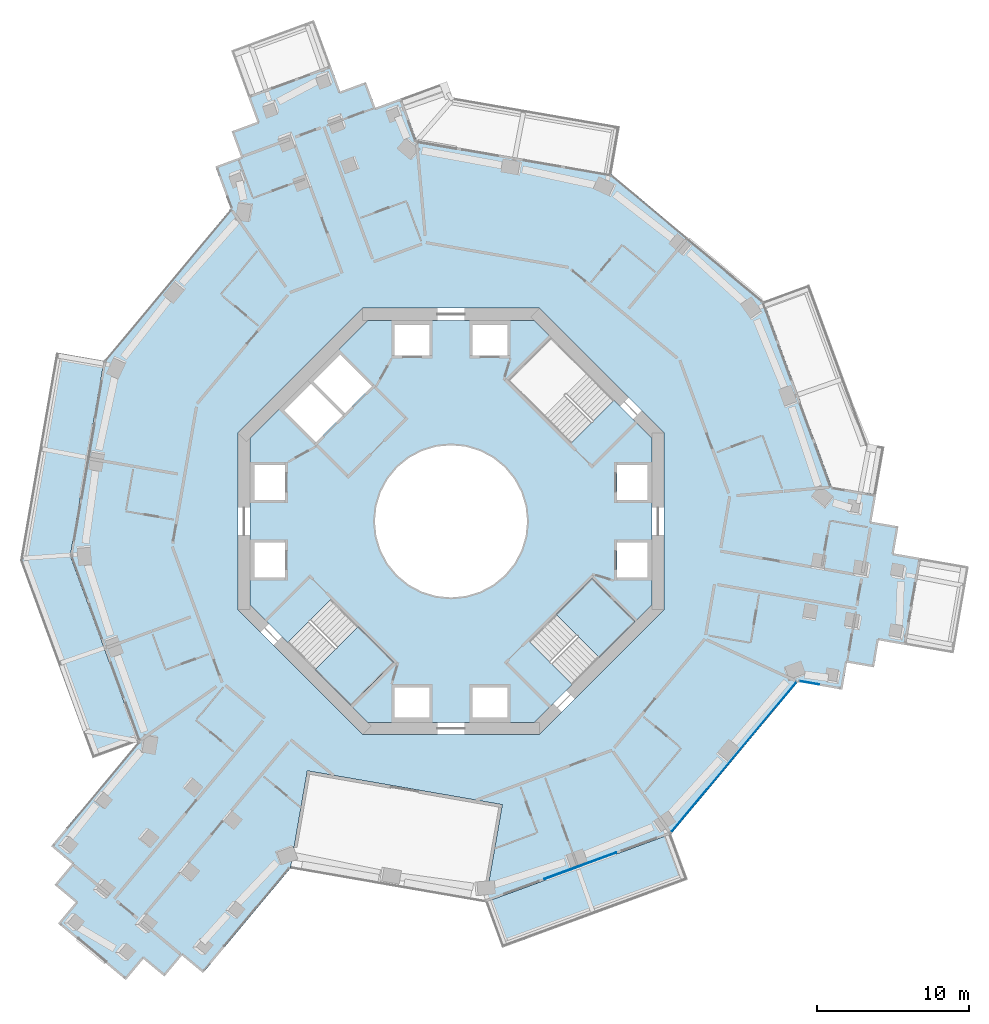
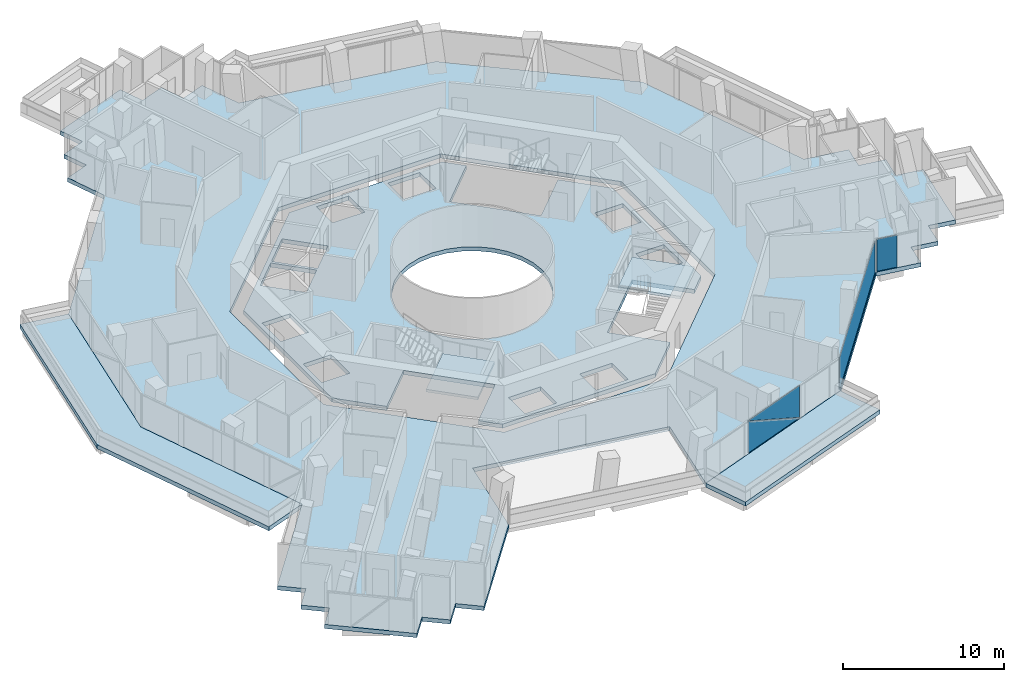
# One storey, part 12 of 24: 6 slabs, 4 plates, 5 elements without a shape of their own.
"""IFC4 building model written with IfcOpenShell, lengths in metres."""

import ifcopenshell
import ifcopenshell.guid

model = None  # the IFC model being written
_history = None  # IfcOwnerHistory: only IFC2X3 demands one
_inside = {}  # id of a spatial element -> (the spatial element, [elements in it])
_under = {}  # id of a project, library or spatial element -> (it, [spatial elements below it])
_declared = {}  # id of a project -> (the project, [libraries it declares])
_typed = {}  # id of a type object -> (the type object, [elements of that type])
_made_of = {}  # id of a material, layer set ... -> (it, [elements and type objects made of it])


def new_model(schema):
    """Start an empty IFC model of exactly this schema.

    Asked for "IFC4X3", IfcOpenShell would pick the latest addendum, in which some entities
    have other attributes; the version numbers below select the first issue.
    IFC2X3 requires an IfcOwnerHistory on every rooted entity: one is made here for all.
    """
    global model, _history
    if schema == "IFC4X3":
        model = ifcopenshell.file(schema_version=(4, 3, 0, 0))
    else:
        model = ifcopenshell.file(schema=schema)
    _inside.clear()
    _under.clear()
    _declared.clear()
    _typed.clear()
    _made_of.clear()
    _history = None
    if model.schema == "IFC2X3":
        org = make("IfcOrganization", Name="unknown")
        user = make(
            "IfcPersonAndOrganization",
            ThePerson=make("IfcPerson", FamilyName="unknown"),
            TheOrganization=org,
        )
        app = make(
            "IfcApplication",
            ApplicationDeveloper=org,
            Version="unknown",
            ApplicationFullName="unknown",
            ApplicationIdentifier="unknown",
        )
        _history = make(
            "IfcOwnerHistory",
            OwningUser=user,
            OwningApplication=app,
            ChangeAction="ADDED",
            CreationDate=0,
        )
    return model


def make(cls, **values):
    """One entity of the class cls with the attributes given. An attribute that is None is left unset."""
    return model.create_entity(
        cls, **{name: value for name, value in values.items() if value is not None}
    )


def rooted(cls, **values):
    """An entity with a GlobalId (a new one), such as an element, a storey or a relation."""
    return make(cls, GlobalId=ifcopenshell.guid.new(), OwnerHistory=_history, **values)


def si_unit(unit_type, name, prefix=None):
    """IfcSIUnit, for example si_unit("LENGTHUNIT", "METRE", prefix="MILLI")."""
    return make("IfcSIUnit", UnitType=unit_type, Prefix=prefix, Name=name)


def assignment(units):
    """IfcUnitAssignment: the units of a project."""
    return None if units is None else make("IfcUnitAssignment", Units=units)


def point(xyz):
    """IfcCartesianPoint."""
    return None if xyz is None else make("IfcCartesianPoint", Coordinates=xyz)


def direction(xyz):
    """IfcDirection."""
    return None if xyz is None else make("IfcDirection", DirectionRatios=xyz)


def frame(location, z_axis=None, x_axis=None):
    """IfcAxis2Placement3D, a coordinate frame: its origin and axes. An axis left out is left unset."""
    return make(
        "IfcAxis2Placement3D",
        Location=point(location),
        Axis=direction(z_axis),
        RefDirection=direction(x_axis),
    )


def frame_2d(location, x_axis=None):
    """IfcAxis2Placement2D, a coordinate frame in the plane: its origin and x axis."""
    return make(
        "IfcAxis2Placement2D", Location=point(location), RefDirection=direction(x_axis)
    )


def origin():
    """The frame at (0, 0, 0) with its axes left unset."""
    return frame((0.0, 0.0, 0.0))


def origin_2d():
    """The frame at (0, 0) in the plane with its x axis left unset."""
    return frame_2d((0.0, 0.0))


def place(relative_to, where):
    """IfcLocalPlacement: puts the frame where relative to a parent placement (None: the world)."""
    return make(
        "IfcLocalPlacement", PlacementRelTo=relative_to, RelativePlacement=where
    )


def context(
    kind, dimensions, precision=None, world=None, true_north=None, identifier=None
):
    """IfcGeometricRepresentationContext, for example the 3D "Model" context."""
    return make(
        "IfcGeometricRepresentationContext",
        ContextIdentifier=identifier,
        ContextType=kind,
        CoordinateSpaceDimension=dimensions,
        Precision=precision,
        WorldCoordinateSystem=world,
        TrueNorth=true_north,
    )


def subcontext(parent, identifier, kind, view, scale=None):
    """IfcGeometricRepresentationSubContext, for example "Body" below "Model"."""
    return make(
        "IfcGeometricRepresentationSubContext",
        ContextIdentifier=identifier,
        ContextType=kind,
        ParentContext=parent,
        TargetScale=scale,
        TargetView=view,
    )


def project(units=None, contexts=None):
    """IfcProject with its units and contexts."""
    return rooted(
        "IfcProject",
        Name="project",
        RepresentationContexts=contexts,
        UnitsInContext=assignment(units),
    )


def spatial(cls, under=None, at=None, **own):
    """A site, building, storey or space (cls), placed at a placement, below another one or the project."""
    s = rooted(cls, ObjectPlacement=at, **own)
    if under is not None:
        _under.setdefault(under.id(), (under, []))[1].append(s)
    return s


def polyline(points):
    """IfcPolyline through the points."""
    return make("IfcPolyline", Points=[point(p) for p in points])


def profile(cls, at=None, kind="AREA", **sizes):
    """A parametric profile (cls). Its sizes go by their IFC names, for example OverallWidth=200.0."""
    return make(cls, ProfileType=kind, Position=at, **sizes)


def rectangle(**sizes):
    """IfcRectangleProfileDef."""
    return profile("IfcRectangleProfileDef", **sizes)


def outline(outer, holes=None, kind="AREA"):
    """IfcArbitraryClosedProfileDef: a profile drawn as a closed curve; with holes, ...WithVoids."""
    if holes is None:
        return make("IfcArbitraryClosedProfileDef", ProfileType=kind, OuterCurve=outer)
    return make(
        "IfcArbitraryProfileDefWithVoids",
        ProfileType=kind,
        OuterCurve=outer,
        InnerCurves=holes,
    )


def extrude(swept, where, along, depth):
    """IfcExtrudedAreaSolid: the profile swept, set in the frame where, extruded along a direction by depth."""
    return make(
        "IfcExtrudedAreaSolid",
        SweptArea=swept,
        Position=where,
        ExtrudedDirection=direction(along),
        Depth=depth,
    )


def shape(context_of_items, identifier, shape_type, items):
    """IfcShapeRepresentation: the items that make up one representation, for example the "Body"."""
    return make(
        "IfcShapeRepresentation",
        ContextOfItems=context_of_items,
        RepresentationIdentifier=identifier,
        RepresentationType=shape_type,
        Items=items,
    )


def material(Name=None, Category=None):
    """IfcMaterial."""
    return make("IfcMaterial", Name=Name, Category=Category)


def layer(
    of_material, thickness, ventilated=None, Name=None, Category=None, Priority=None
):
    """IfcMaterialLayer: one layer of a wall or slab, of a material (None: an air gap)."""
    return make(
        "IfcMaterialLayer",
        Material=of_material,
        LayerThickness=thickness,
        IsVentilated=ventilated,
        Name=Name,
        Category=Category,
        Priority=Priority,
    )


def layer_set(layers, Name=None):
    """IfcMaterialLayerSet."""
    return make("IfcMaterialLayerSet", MaterialLayers=layers, LayerSetName=Name)


def made_of(thing, what):
    """Note that an element or type object is made of a material, layer set ...; save() writes the relation."""
    if what is not None:
        _made_of.setdefault(what.id(), (what, []))[1].append(thing)
    return thing


def type_object(cls, material=None, **own):
    """A type object (cls), such as IfcWallType, which elements share."""
    return made_of(rooted(cls, **own), material)


def element(
    cls,
    number,
    at=None,
    inside=None,
    cuts=None,
    type_object=None,
    material=None,
    context=None,
    identifier="Body",
    shape_type=None,
    held_by="IfcProductDefinitionShape",
    body=None,
    shapes=None,
    **own,
):
    """One element of the class cls, such as IfcWall. Its Tag is "e" and its number.

    at: its placement. inside: the storey or other place that contains it. cuts: it is an
    opening in that element (IfcRelVoidsElement). A single representation is given by context,
    identifier, shape_type and body (its items); several are given by shapes. held_by: the class
    of the entity that holds the representations. save() writes the other relations.
    """
    e = rooted(cls, Tag="e%d" % number, ObjectPlacement=at, **own)
    if body is not None:
        shapes = [shape(context, identifier, shape_type, body)]
    if shapes is not None:
        e.Representation = make(held_by, Representations=shapes)
    if inside is not None:
        _inside.setdefault(inside.id(), (inside, []))[1].append(e)
    if cuts is not None:
        rooted(
            "IfcRelVoidsElement", RelatingBuildingElement=cuts, RelatedOpeningElement=e
        )
    if type_object is not None:
        _typed.setdefault(type_object.id(), (type_object, []))[1].append(e)
    return made_of(e, material)


def aggregate(whole, parts):
    """IfcRelAggregates: a whole, such as a stair, and the parts it consists of."""
    return rooted("IfcRelAggregates", RelatingObject=whole, RelatedObjects=parts)


def save(model, path):
    """Write the relations noted so far, then the file.

    IfcRelAggregates (storeys below a building ...), IfcRelContainedInSpatialStructure (elements
    in a storey), IfcRelDefinesByType, IfcRelAssociatesMaterial and IfcRelDeclares: one each for
    every whole, place, type object, material and project.
    """
    for whole, parts in _under.values():
        aggregate(whole, parts)
    for where, things in _inside.values():
        rooted(
            "IfcRelContainedInSpatialStructure",
            RelatedElements=things,
            RelatingStructure=where,
        )
    for kind, things in _typed.values():
        rooted("IfcRelDefinesByType", RelatedObjects=things, RelatingType=kind)
    for what, things in _made_of.values():
        rooted("IfcRelAssociatesMaterial", RelatedObjects=things, RelatingMaterial=what)
    for by, libraries in _declared.values():
        rooted("IfcRelDeclares", RelatingContext=by, RelatedDefinitions=libraries)
    model.write(path)


model = new_model("IFC4")

# Units and contexts
model_context = context("Model", 3, precision=1e-05, world=origin(), true_north=direction((0.0, 1.0)))
body_context = subcontext(model_context, "Body", "Model", "MODEL_VIEW")
ifc_project = project(units=[si_unit("LENGTHUNIT", "METRE"), si_unit("AREAUNIT", "SQUARE_METRE"), si_unit("VOLUMEUNIT", "CUBIC_METRE"), si_unit("PLANEANGLEUNIT", "RADIAN"), si_unit("MASSUNIT", "GRAM", prefix="KILO")], contexts=[model_context])

# Site, building, storey
site_placement = place(None, origin())
site = spatial("IfcSite", under=ifc_project, at=site_placement, CompositionType="ELEMENT")
building_placement = place(site_placement, origin())
building = spatial("IfcBuilding", under=site, at=building_placement, Name="Verdalira Terraces Hotel", CompositionType="ELEMENT")
storey_placement = place(building_placement, frame((0.0, 0.0, 115.0)))
storey = spatial("IfcBuildingStorey", under=building, at=storey_placement, Name="L27", CompositionType="ELEMENT", Elevation=115.0)

# Slabs
ifc_material_1 = material(Name="Precast concrete C40/50", Category="concrete")
ifc_layer_1 = layer(ifc_material_1, 0.31005859375)
ifc_layer_set_1 = layer_set([ifc_layer_1], Name="Balcony deck 310")
slab_type_1 = type_object("IfcSlabType", Name="Balcony deck 310", PredefinedType="FLOOR", material=ifc_layer_set_1)
slab_1_placement = place(storey_placement, frame((0.0, 0.0, -0.310059)))
element("IfcSlab", 1, at=slab_1_placement, inside=storey, type_object=slab_type_1, Name="Balcony deck", PredefinedType="FLOOR", context=body_context, shape_type="SweptSolid", body=[
    extrude(outline(polyline([(-28.311768, -2.556641), (-23.535889, -15.565186), (-20.531982, -14.462158), (-25.012207, -2.258789), (-22.790527, 10.550049), (-25.943604, 11.096924), (-28.311768, -2.556641)])), origin(), (0.0, 0.0, 1.0), 0.310059),
])
slab_2_placement = place(storey_placement, frame((0.0, 0.0, -0.310059)))
element("IfcSlab", 2, at=slab_2_placement, inside=storey, type_object=slab_type_1, Name="Balcony deck", PredefinedType="FLOOR", context=body_context, shape_type="SweptSolid", body=[
    extrude(outline(polyline([(15.565186, -23.535889), (14.462158, -20.531982), (2.258789, -25.012207), (3.361572, -28.016357), (15.565186, -23.535889)])), origin(), (0.0, 0.0, 1.0), 0.310059),
])

# Curtain wall, plates
ifc_material_2 = material(Name="Clear glass", Category="glass")
ifc_layer_2 = layer(ifc_material_2, 0.14990234375)
ifc_layer_set_2 = layer_set([ifc_layer_2], Name="CW1 curtain wall")
curtain_wall_type_1 = type_object("IfcCurtainWallType", Name="CW1 curtain wall", PredefinedType="NOTDEFINED", material=ifc_layer_set_2)
curtain_wall_1_placement = place(storey_placement, origin())
curtain_wall_1 = element("IfcCurtainWall", 3, at=curtain_wall_1_placement, inside=storey, type_object=curtain_wall_type_1, Name="CW1 curtain wall L27 edge 26", PredefinedType="NOTDEFINED")
ifc_material_3 = material(Name="Clear glass", Category="glass")
ifc_layer_3 = layer(ifc_material_3, 0.028076171875)
ifc_layer_set_3 = layer_set([ifc_layer_3], Name="CW1 glass unit 28")
plate_type_1 = type_object("IfcPlateType", Name="CW1 glass unit 28", PredefinedType="CURTAIN_PANEL", material=ifc_layer_set_3)
plate_1_placement = place(storey_placement, frame((8.497559, -22.626953, 1.212402), z_axis=(0.344642923, -0.938733858, 0.0), x_axis=(0.938733858, 0.344642923, 0.0)))
plate_1 = element("IfcPlate", 4, at=plate_1_placement, type_object=plate_type_1, Name="CW1 glass unit", PredefinedType="CURTAIN_PANEL", context=body_context, shape_type="SweptSolid", body=[
    extrude(outline(polyline([(-2.510742, -1.212402), (2.510742, -1.212402), (-2.510742, 1.212402), (-2.510742, -1.212402)])), origin(), (0.0, 0.0, 1.0), 0.028076),
])
plate_2_placement = place(storey_placement, frame((8.487549, -22.599609, 1.212402), z_axis=(0.344642923, -0.938733858, 0.0), x_axis=(0.938733858, 0.344642923, 0.0)))
plate_2 = element("IfcPlate", 5, at=plate_2_placement, type_object=plate_type_1, Name="CW1 glass unit", PredefinedType="CURTAIN_PANEL", context=body_context, shape_type="SweptSolid", body=[
    extrude(outline(polyline([(2.510742, -1.212402), (2.510742, 1.212402), (-2.510742, 1.212402), (2.510742, -1.212402)])), origin(), (0.0, 0.0, 1.0), 0.028076),
])
aggregate(curtain_wall_1, [plate_1, plate_2])

# Curtain wall, plate
curtain_wall_2_placement = place(storey_placement, origin())
curtain_wall_2 = element("IfcCurtainWall", 6, at=curtain_wall_2_placement, inside=storey, type_object=curtain_wall_type_1, Name="CW1 curtain wall L27 edge 27", PredefinedType="NOTDEFINED")
plate_3_placement = place(storey_placement, frame((18.581787, -15.477539, 0.0), z_axis=(0.0, 0.0, 1.0), x_axis=(0.640645907, 0.767836456, 0.0)))
plate_3 = element("IfcPlate", 7, at=plate_3_placement, type_object=plate_type_1, Name="CW1 glass unit", PredefinedType="CURTAIN_PANEL", context=body_context, shape_type="SweptSolid", body=[
    extrude(rectangle(XDim=12.839844, YDim=0.028076, at=origin_2d()), origin(), (0.0, 0.0, 1.0), 2.425049),
])
aggregate(curtain_wall_2, [plate_3])

ifc_material_4 = material(Name="Clear glass", Category="glass")
ifc_layer_4 = layer(ifc_material_4, 0.14990234375)
ifc_layer_set_4 = layer_set([ifc_layer_4], Name="CW2 curtain wall")
curtain_wall_type_2 = type_object("IfcCurtainWallType", Name="CW2 curtain wall", PredefinedType="NOTDEFINED", material=ifc_layer_set_4)
curtain_wall_3_placement = place(storey_placement, origin())
curtain_wall_3 = element("IfcCurtainWall", 8, at=curtain_wall_3_placement, inside=storey, type_object=curtain_wall_type_2, Name="CW2 curtain wall L27 edge 28", PredefinedType="NOTDEFINED")
ifc_material_5 = material(Name="Clear glass", Category="glass")
ifc_layer_5 = layer(ifc_material_5, 0.031982421875)
ifc_layer_set_5 = layer_set([ifc_layer_5], Name="CW2 glass unit 32")
plate_type_2 = type_object("IfcPlateType", Name="CW2 glass unit 32", PredefinedType="CURTAIN_PANEL", material=ifc_layer_set_5)
plate_4_placement = place(storey_placement, frame((23.523438, -10.601074, 0.0), z_axis=(0.0, 0.0, 1.0), x_axis=(0.98528883, -0.170897402, 0.0)))
plate_4 = element("IfcPlate", 9, at=plate_4_placement, type_object=plate_type_2, Name="CW2 glass unit", PredefinedType="CURTAIN_PANEL", context=body_context, shape_type="SweptSolid", body=[
    extrude(rectangle(XDim=1.321533, YDim=0.031982, at=origin_2d()), origin(), (0.0, 0.0, 1.0), 2.425049),
])
aggregate(curtain_wall_3, [plate_4])

# Slab
ifc_material_6 = material(Name="Concrete C40", Category="concrete")
ifc_layer_6 = layer(ifc_material_6, 0.31005859375)
ifc_layer_set_6 = layer_set([ifc_layer_6], Name="Core floor slab 310 mm")
slab_type_2 = type_object("IfcSlabType", Name="Core floor slab 310 mm", PredefinedType="FLOOR", material=ifc_layer_set_6)
slab_3_placement = place(storey_placement, frame((0.0, 0.0, -0.310059)))
element("IfcSlab", 10, at=slab_3_placement, inside=storey, type_object=slab_type_2, Name="L27 core floor", PredefinedType="FLOOR", context=body_context, shape_type="SweptSolid", body=[
    extrude(outline(polyline([(-5.467529, 13.199951), (5.467529, 13.199951), (6.562012, 12.105713), (3.719482, 9.263184), (7.869629, 5.112793), (10.712402, 7.955322), (13.199951, 5.467529), (13.199951, -5.467529), (12.105713, -6.562012), (9.263184, -3.719482), (5.112793, -7.869629), (7.955322, -10.712402), (5.467529, -13.199951), (-5.467529, -13.199951), (-6.562012, -12.105713), (-3.719482, -9.263184), (-7.869629, -5.112793), (-10.712402, -7.955322), (-13.199951, -5.467529), (-13.199951, 5.467529), (-5.467529, 13.199951)]), holes=[polyline([(12.899902, -3.699951), (12.899902, -1.399902), (10.899902, -1.399902), (10.899902, -3.699951), (12.899902, -3.699951)]), polyline([(12.899902, 1.399902), (12.899902, 3.699951), (10.899902, 3.699951), (10.899902, 1.399902), (12.899902, 1.399902)]), polyline([(1.399902, 10.899902), (3.699951, 10.899902), (3.699951, 12.899902), (1.399902, 12.899902), (1.399902, 10.899902)]), polyline([(-3.699951, 10.899902), (-1.399902, 10.899902), (-1.399902, 12.899902), (-3.699951, 12.899902), (-3.699951, 10.899902)]), polyline([(-12.899902, 3.699951), (-12.899902, 1.399902), (-10.899902, 1.399902), (-10.899902, 3.699951), (-12.899902, 3.699951)]), polyline([(-12.899902, -1.399902), (-12.899902, -3.699951), (-10.899902, -3.699951), (-10.899902, -1.399902), (-12.899902, -1.399902)]), polyline([(-1.399902, -10.899902), (-3.699951, -10.899902), (-3.699951, -12.899902), (-1.399902, -12.899902), (-1.399902, -10.899902)]), polyline([(3.699951, -10.899902), (1.399902, -10.899902), (1.399902, -12.899902), (3.699951, -12.899902), (3.699951, -10.899902)]), polyline([(-9.051025, 9.192383), (-6.965088, 7.106445), (-5.197266, 8.874268), (-7.283203, 10.960205), (-9.051025, 9.192383)]), polyline([(-9.192383, 9.051025), (-10.960205, 7.283203), (-8.874268, 5.197266), (-7.106445, 6.965088), (-9.192383, 9.051025)]), polyline([(3.5354, 3.5354), (2.777832, 4.157227), (1.91333, 4.619385), (0.975586, 4.903809), (0.0, 5.0), (-0.975586, 4.903809), (-1.91333, 4.619385), (-2.777832, 4.157227), (-3.5354, 3.5354), (-4.157227, 2.777832), (-4.619385, 1.91333), (-4.903809, 0.975586), (-5.0, 0.0), (-4.903809, -0.975586), (-4.619385, -1.91333), (-4.157227, -2.777832), (-3.5354, -3.5354), (-2.777832, -4.157227), (-1.91333, -4.619385), (-0.975586, -4.903809), (0.0, -5.0), (0.975586, -4.903809), (1.91333, -4.619385), (2.777832, -4.157227), (3.5354, -3.5354), (4.157227, -2.777832), (4.619385, -1.91333), (4.903809, -0.975586), (5.0, 0.0), (4.903809, 0.975586), (4.619385, 1.91333), (4.157227, 2.777832), (3.5354, 3.5354)])]), origin(), (0.0, 0.0, 1.0), 0.310059),
])

# Stair, slab
ifc_material_7 = material(Name="Concrete C40", Category="concrete")
stair_type = type_object("IfcStairType", Name="Core stair 20 risers 1950 mm wide", PredefinedType="HALF_TURN_STAIR", material=ifc_material_7)
stair_1_placement = place(storey_placement, origin())
stair_1 = element("IfcStair", 11, at=stair_1_placement, inside=storey, type_object=stair_type, Name="L27 Exit stair ST2", PredefinedType="HALF_TURN_STAIR")
ifc_material_8 = material(Name="Concrete C40", Category="concrete")
ifc_layer_7 = layer(ifc_material_8, 0.199951171875)
ifc_layer_set_7 = layer_set([ifc_layer_7], Name="Core stair landing 200 mm")
slab_type_3 = type_object("IfcSlabType", Name="Core stair landing 200 mm", PredefinedType="LANDING", material=ifc_layer_set_7)
slab_4_placement = place(storey_placement, frame((0.0, 0.0, 1.550049)))
slab_4 = element("IfcSlab", 12, at=slab_4_placement, type_object=slab_type_3, Name="ST2 landing 1", PredefinedType="LANDING", context=body_context, shape_type="SweptSolid", body=[
    extrude(outline(polyline([(-8.931152, -9.736572), (-6.576172, -12.091553), (-3.747559, -9.263184), (-6.102783, -6.907959), (-8.931152, -9.736572)])), origin(), (0.0, 0.0, 1.0), 0.199951),
])
aggregate(stair_1, [slab_4])

stair_2_placement = place(storey_placement, origin())
stair_2 = element("IfcStair", 13, at=stair_2_placement, inside=storey, type_object=stair_type, Name="L27 Exit stair ST3", PredefinedType="HALF_TURN_STAIR")
slab_5_placement = place(storey_placement, frame((0.0, 0.0, 1.550049)))
slab_5 = element("IfcSlab", 14, at=slab_5_placement, type_object=slab_type_3, Name="ST3 landing 1", PredefinedType="LANDING", context=body_context, shape_type="SweptSolid", body=[
    extrude(outline(polyline([(9.736572, -8.931152), (12.091553, -6.576172), (9.263184, -3.747559), (6.907959, -6.102783), (9.736572, -8.931152)])), origin(), (0.0, 0.0, 1.0), 0.199951),
])
aggregate(stair_2, [slab_5])

# Slab
ifc_material_9 = material(Name="Concrete C40", Category="concrete")
ifc_layer_8 = layer(ifc_material_9, 0.31005859375)
ifc_layer_set_8 = layer_set([ifc_layer_8], Name="Floor slab 310 C40")
slab_type_4 = type_object("IfcSlabType", Name="Floor slab 310 C40", PredefinedType="FLOOR", material=ifc_layer_set_8)
slab_6_placement = place(storey_placement, frame((0.0, 0.0, -0.310059)))
element("IfcSlab", 15, at=slab_6_placement, inside=storey, type_object=slab_type_4, Name="Floor slab L27", PredefinedType="FLOOR", context=body_context, shape_type="SweptSolid", body=[
    extrude(outline(polyline([(-17.671875, -28.516846), (-16.289795, -29.669922), (-10.550293, -22.791016), (-10.550537, -22.791016), (-9.439697, -16.385742), (3.370117, -18.607422), (2.259277, -25.012207), (14.462158, -20.531982), (22.790527, -10.550049), (25.706299, -11.055908), (26.01416, -9.282227), (27.787598, -9.589844), (28.095215, -7.816406), (29.868652, -8.124023), (30.859863, -2.40918), (29.086426, -2.101807), (29.394043, -0.328125), (27.620605, -0.020508), (27.927979, 1.75293), (25.012207, 2.258789), (20.531982, 14.462158), (10.550049, 22.790527), (-2.258789, 25.012207), (-3.278564, 27.790283), (-4.968262, 27.169922), (-5.588623, 28.859619), (-7.27832, 28.239258), (-7.898682, 29.929199), (-13.343506, 27.930176), (-12.723145, 26.240479), (-14.412842, 25.620117), (-13.79248, 23.93042), (-15.482178, 23.310059), (-14.462158, 20.531982), (-22.790527, 10.550049), (-25.012207, -2.258789), (-20.531982, -14.462158), (-26.271729, -21.341553), (-24.889648, -22.494629), (-26.042725, -23.876709), (-24.660645, -25.030029), (-25.813721, -26.412109), (-21.360352, -30.127686), (-20.207275, -28.745605), (-18.825195, -29.898926), (-17.671875, -28.516846)]), holes=[polyline([(5.799072, 14.0), (14.0, 5.799072), (14.0, -5.799072), (5.799072, -14.0), (-5.799072, -14.0), (-14.0, -5.799072), (-14.0, 5.799072), (-5.799072, 14.0), (5.799072, 14.0)])]), origin(), (0.0, 0.0, 1.0), 0.310059),
])

save(model, "model.ifc")
